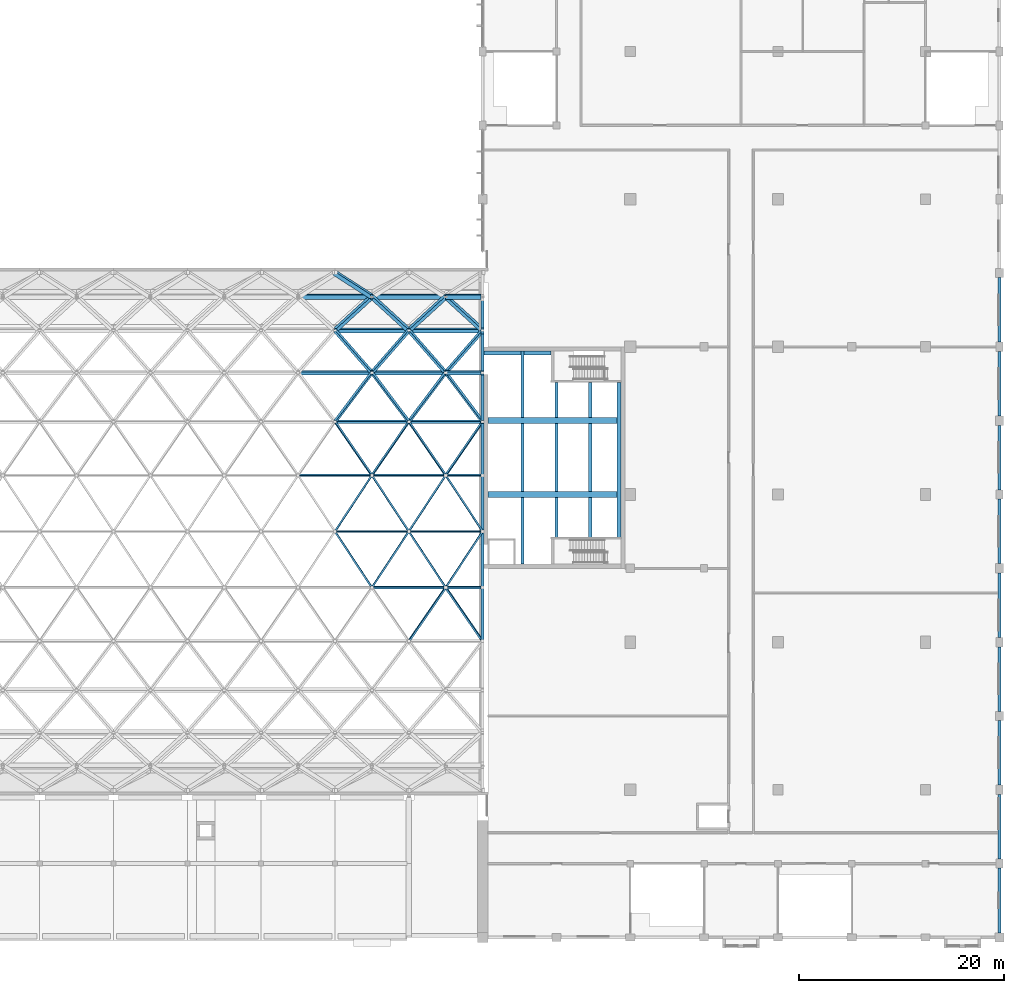
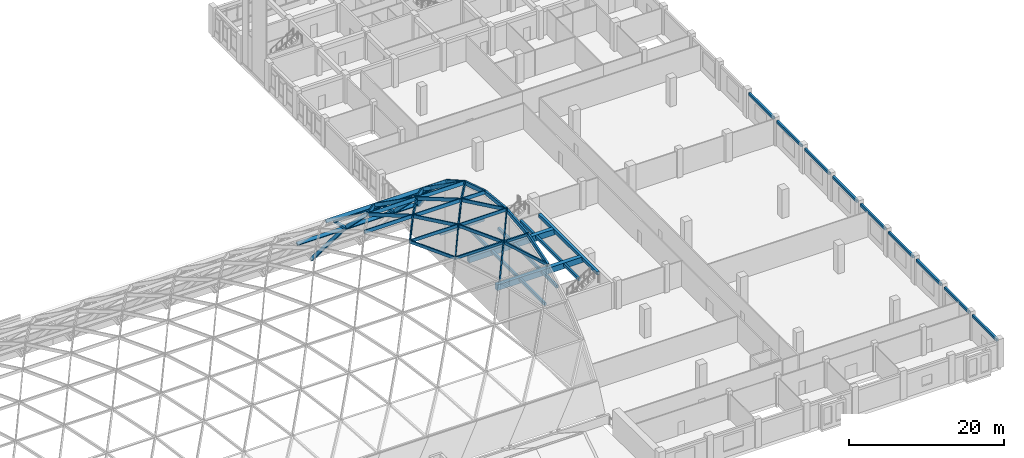
# One storey, part 14 of 52: 46 beams, 27 members.
"""IFC4 building model written with IfcOpenShell, lengths in metres."""

import ifcopenshell
import ifcopenshell.guid

model = None  # the IFC model being written
_history = None  # IfcOwnerHistory: only IFC2X3 demands one
_inside = {}  # id of a spatial element -> (the spatial element, [elements in it])
_under = {}  # id of a project, library or spatial element -> (it, [spatial elements below it])
_declared = {}  # id of a project -> (the project, [libraries it declares])
_typed = {}  # id of a type object -> (the type object, [elements of that type])
_made_of = {}  # id of a material, layer set ... -> (it, [elements and type objects made of it])


def new_model(schema):
    """Start an empty IFC model of exactly this schema.

    Asked for "IFC4X3", IfcOpenShell would pick the latest addendum, in which some entities
    have other attributes; the version numbers below select the first issue.
    IFC2X3 requires an IfcOwnerHistory on every rooted entity: one is made here for all.
    """
    global model, _history
    if schema == "IFC4X3":
        model = ifcopenshell.file(schema_version=(4, 3, 0, 0))
    else:
        model = ifcopenshell.file(schema=schema)
    _inside.clear()
    _under.clear()
    _declared.clear()
    _typed.clear()
    _made_of.clear()
    _history = None
    if model.schema == "IFC2X3":
        org = make("IfcOrganization", Name="unknown")
        user = make(
            "IfcPersonAndOrganization",
            ThePerson=make("IfcPerson", FamilyName="unknown"),
            TheOrganization=org,
        )
        app = make(
            "IfcApplication",
            ApplicationDeveloper=org,
            Version="unknown",
            ApplicationFullName="unknown",
            ApplicationIdentifier="unknown",
        )
        _history = make(
            "IfcOwnerHistory",
            OwningUser=user,
            OwningApplication=app,
            ChangeAction="ADDED",
            CreationDate=0,
        )
    return model


def make(cls, **values):
    """One entity of the class cls with the attributes given. An attribute that is None is left unset."""
    return model.create_entity(
        cls, **{name: value for name, value in values.items() if value is not None}
    )


def rooted(cls, **values):
    """An entity with a GlobalId (a new one), such as an element, a storey or a relation."""
    return make(cls, GlobalId=ifcopenshell.guid.new(), OwnerHistory=_history, **values)


def si_unit(unit_type, name, prefix=None):
    """IfcSIUnit, for example si_unit("LENGTHUNIT", "METRE", prefix="MILLI")."""
    return make("IfcSIUnit", UnitType=unit_type, Prefix=prefix, Name=name)


def assignment(units):
    """IfcUnitAssignment: the units of a project."""
    return None if units is None else make("IfcUnitAssignment", Units=units)


def point(xyz):
    """IfcCartesianPoint."""
    return None if xyz is None else make("IfcCartesianPoint", Coordinates=xyz)


def direction(xyz):
    """IfcDirection."""
    return None if xyz is None else make("IfcDirection", DirectionRatios=xyz)


def frame(location, z_axis=None, x_axis=None):
    """IfcAxis2Placement3D, a coordinate frame: its origin and axes. An axis left out is left unset."""
    return make(
        "IfcAxis2Placement3D",
        Location=point(location),
        Axis=direction(z_axis),
        RefDirection=direction(x_axis),
    )


def frame_2d(location, x_axis=None):
    """IfcAxis2Placement2D, a coordinate frame in the plane: its origin and x axis."""
    return make(
        "IfcAxis2Placement2D", Location=point(location), RefDirection=direction(x_axis)
    )


def origin():
    """The frame at (0, 0, 0) with its axes left unset."""
    return frame((0.0, 0.0, 0.0))


def origin_2d():
    """The frame at (0, 0) in the plane with its x axis left unset."""
    return frame_2d((0.0, 0.0))


def place(relative_to, where):
    """IfcLocalPlacement: puts the frame where relative to a parent placement (None: the world)."""
    return make(
        "IfcLocalPlacement", PlacementRelTo=relative_to, RelativePlacement=where
    )


def context(
    kind, dimensions, precision=None, world=None, true_north=None, identifier=None
):
    """IfcGeometricRepresentationContext, for example the 3D "Model" context."""
    return make(
        "IfcGeometricRepresentationContext",
        ContextIdentifier=identifier,
        ContextType=kind,
        CoordinateSpaceDimension=dimensions,
        Precision=precision,
        WorldCoordinateSystem=world,
        TrueNorth=true_north,
    )


def subcontext(parent, identifier, kind, view, scale=None):
    """IfcGeometricRepresentationSubContext, for example "Body" below "Model"."""
    return make(
        "IfcGeometricRepresentationSubContext",
        ContextIdentifier=identifier,
        ContextType=kind,
        ParentContext=parent,
        TargetScale=scale,
        TargetView=view,
    )


def project(units=None, contexts=None):
    """IfcProject with its units and contexts."""
    return rooted(
        "IfcProject",
        Name="project",
        RepresentationContexts=contexts,
        UnitsInContext=assignment(units),
    )


def spatial(cls, under=None, at=None, **own):
    """A site, building, storey or space (cls), placed at a placement, below another one or the project."""
    s = rooted(cls, ObjectPlacement=at, **own)
    if under is not None:
        _under.setdefault(under.id(), (under, []))[1].append(s)
    return s


def profile(cls, at=None, kind="AREA", **sizes):
    """A parametric profile (cls). Its sizes go by their IFC names, for example OverallWidth=200.0."""
    return make(cls, ProfileType=kind, Position=at, **sizes)


def rectangle(**sizes):
    """IfcRectangleProfileDef."""
    return profile("IfcRectangleProfileDef", **sizes)


def extrude(swept, where, along, depth):
    """IfcExtrudedAreaSolid: the profile swept, set in the frame where, extruded along a direction by depth."""
    return make(
        "IfcExtrudedAreaSolid",
        SweptArea=swept,
        Position=where,
        ExtrudedDirection=direction(along),
        Depth=depth,
    )


def shape(context_of_items, identifier, shape_type, items):
    """IfcShapeRepresentation: the items that make up one representation, for example the "Body"."""
    return make(
        "IfcShapeRepresentation",
        ContextOfItems=context_of_items,
        RepresentationIdentifier=identifier,
        RepresentationType=shape_type,
        Items=items,
    )


def material(Name=None, Category=None):
    """IfcMaterial."""
    return make("IfcMaterial", Name=Name, Category=Category)


def material_profile(
    of_material, cross_section, Name=None, Category=None, Priority=None
):
    """IfcMaterialProfile: a cross section and its material."""
    return make(
        "IfcMaterialProfile",
        Name=Name,
        Material=of_material,
        Profile=cross_section,
        Priority=Priority,
        Category=Category,
    )


def profile_set(profiles, Name=None, composite=None):
    """IfcMaterialProfileSet."""
    return make(
        "IfcMaterialProfileSet",
        Name=Name,
        MaterialProfiles=profiles,
        CompositeProfile=composite,
    )


def made_of(thing, what):
    """Note that an element or type object is made of a material, layer set ...; save() writes the relation."""
    if what is not None:
        _made_of.setdefault(what.id(), (what, []))[1].append(thing)
    return thing


def type_object(cls, material=None, **own):
    """A type object (cls), such as IfcWallType, which elements share."""
    return made_of(rooted(cls, **own), material)


def element(
    cls,
    number,
    at=None,
    inside=None,
    cuts=None,
    type_object=None,
    material=None,
    context=None,
    identifier="Body",
    shape_type=None,
    held_by="IfcProductDefinitionShape",
    body=None,
    shapes=None,
    **own,
):
    """One element of the class cls, such as IfcWall. Its Tag is "e" and its number.

    at: its placement. inside: the storey or other place that contains it. cuts: it is an
    opening in that element (IfcRelVoidsElement). A single representation is given by context,
    identifier, shape_type and body (its items); several are given by shapes. held_by: the class
    of the entity that holds the representations. save() writes the other relations.
    """
    e = rooted(cls, Tag="e%d" % number, ObjectPlacement=at, **own)
    if body is not None:
        shapes = [shape(context, identifier, shape_type, body)]
    if shapes is not None:
        e.Representation = make(held_by, Representations=shapes)
    if inside is not None:
        _inside.setdefault(inside.id(), (inside, []))[1].append(e)
    if cuts is not None:
        rooted(
            "IfcRelVoidsElement", RelatingBuildingElement=cuts, RelatedOpeningElement=e
        )
    if type_object is not None:
        _typed.setdefault(type_object.id(), (type_object, []))[1].append(e)
    return made_of(e, material)


def aggregate(whole, parts):
    """IfcRelAggregates: a whole, such as a stair, and the parts it consists of."""
    return rooted("IfcRelAggregates", RelatingObject=whole, RelatedObjects=parts)


def save(model, path):
    """Write the relations noted so far, then the file.

    IfcRelAggregates (storeys below a building ...), IfcRelContainedInSpatialStructure (elements
    in a storey), IfcRelDefinesByType, IfcRelAssociatesMaterial and IfcRelDeclares: one each for
    every whole, place, type object, material and project.
    """
    for whole, parts in _under.values():
        aggregate(whole, parts)
    for where, things in _inside.values():
        rooted(
            "IfcRelContainedInSpatialStructure",
            RelatedElements=things,
            RelatingStructure=where,
        )
    for kind, things in _typed.values():
        rooted("IfcRelDefinesByType", RelatedObjects=things, RelatingType=kind)
    for what, things in _made_of.values():
        rooted("IfcRelAssociatesMaterial", RelatedObjects=things, RelatingMaterial=what)
    for by, libraries in _declared.values():
        rooted("IfcRelDeclares", RelatingContext=by, RelatedDefinitions=libraries)
    model.write(path)


model = new_model("IFC4")

# Units and contexts
model_context = context("Model", 3, precision=1e-05, world=origin(), true_north=direction((0.0, 1.0)))
body_context = subcontext(model_context, "Body", "Model", "MODEL_VIEW")
ifc_project = project(units=[si_unit("LENGTHUNIT", "METRE"), si_unit("AREAUNIT", "SQUARE_METRE"), si_unit("VOLUMEUNIT", "CUBIC_METRE"), si_unit("PLANEANGLEUNIT", "RADIAN"), si_unit("MASSUNIT", "GRAM", prefix="KILO")], contexts=[model_context])

# Site, building, storey
site_placement = place(None, origin())
site = spatial("IfcSite", under=ifc_project, at=site_placement, CompositionType="ELEMENT")
building_placement = place(site_placement, origin())
building = spatial("IfcBuilding", under=site, at=building_placement, Name="Vermilion Court Aquatics Centre", CompositionType="ELEMENT")
storey_placement = place(building_placement, frame((0.0, 0.0, 12.0)))
storey = spatial("IfcBuildingStorey", under=building, at=storey_placement, Name="L02", CompositionType="ELEMENT", Elevation=12.0)

# Beams
ifc_material_1 = material(Name="Concrete 8000 psi", Category="concrete")
ifc_material_profile_1 = material_profile(ifc_material_1, rectangle(XDim=0.39990234375, YDim=0.5, at=origin_2d()), Name="RC 400x500")
ifc_profile_set_1 = profile_set([ifc_material_profile_1], Name="Concrete 8000 psi")
beam_type_1 = type_object("IfcBeamType", Name="Diving Tower diaphragm chord beam RC 400x500", PredefinedType="BEAM", material=ifc_profile_set_1)
beam_1_placement = place(storey_placement, frame((157.300048828125, 39.02490234375, 3.89990234375), z_axis=(0.0, 1.0, 0.0), x_axis=(-1.0, 0.0, 0.0)))
element("IfcBeam", 1, at=beam_1_placement, inside=storey, type_object=beam_type_1, Name="Diving Tower diaphragm chord beam E L03", PredefinedType="BEAM", context=body_context, shape_type="SweptSolid", body=[
    extrude(rectangle(XDim=0.39990234375, YDim=0.5, at=origin_2d()), origin(), (0.0, 0.0, 1.0), 15.10009765625),
])
beam_2_placement = place(storey_placement, frame((144.110107421875, 57.0, 3.89990234375), z_axis=(1.0, 0.0, 0.0), x_axis=(0.0, 1.0, 0.0)))
element("IfcBeam", 2, at=beam_2_placement, inside=storey, type_object=beam_type_1, Name="Diving Tower diaphragm chord beam N L03", PredefinedType="BEAM", context=body_context, shape_type="SweptSolid", body=[
    extrude(rectangle(XDim=0.39990234375, YDim=0.5, at=origin_2d()), origin(), (0.0, 0.0, 1.0), 6.539794921875),
])
ifc_material_2 = material(Name="Concrete 8000 psi", Category="concrete")
ifc_material_profile_2 = material_profile(ifc_material_2, rectangle(XDim=0.300048828125, YDim=0.449951171875, at=origin_2d()), Name="RC 300x450")
ifc_profile_set_2 = profile_set([ifc_material_profile_2], Name="Concrete 8000 psi")
beam_type_2 = type_object("IfcBeamType", Name="Diving Tower floor joist RC 300x450", PredefinedType="JOIST", material=ifc_profile_set_2)
beam_3_placement = place(storey_placement, frame((147.89990234375, 36.39990234375, 3.925048828125), z_axis=(0.0, 1.0, 0.0), x_axis=(-1.0, 0.0, 0.0)))
element("IfcBeam", 3, at=beam_3_placement, inside=storey, type_object=beam_type_2, Name="Diving Tower floor joist x147.9 1 L03", PredefinedType="JOIST", context=body_context, shape_type="SweptSolid", body=[
    extrude(rectangle(XDim=0.300048828125, YDim=0.449951171875, at=origin_2d()), origin(), (0.0, 0.0, 1.0), 6.5),
])
beam_4_placement = place(storey_placement, frame((147.89990234375, 43.5, 3.925048828125), z_axis=(0.0, 1.0, 0.0), x_axis=(-1.0, 0.0, 0.0)))
element("IfcBeam", 4, at=beam_4_placement, inside=storey, type_object=beam_type_2, Name="Diving Tower floor joist x147.9 2 L03", PredefinedType="JOIST", context=body_context, shape_type="SweptSolid", body=[
    extrude(rectangle(XDim=0.300048828125, YDim=0.449951171875, at=origin_2d()), origin(), (0.0, 0.0, 1.0), 6.60009765625),
])
beam_5_placement = place(storey_placement, frame((147.89990234375, 50.699951171875, 3.925048828125), z_axis=(0.0, 1.0, 0.0), x_axis=(-1.0, 0.0, 0.0)))
element("IfcBeam", 5, at=beam_5_placement, inside=storey, type_object=beam_type_2, Name="Diving Tower floor joist x147.9 3 L03", PredefinedType="JOIST", context=body_context, shape_type="SweptSolid", body=[
    extrude(rectangle(XDim=0.300048828125, YDim=0.449951171875, at=origin_2d()), origin(), (0.0, 0.0, 1.0), 6.5),
])
beam_6_placement = place(storey_placement, frame((151.199951171875, 39.02490234375, 3.925048828125), z_axis=(0.0, 1.0, 0.0), x_axis=(-1.0, 0.0, 0.0)))
element("IfcBeam", 6, at=beam_6_placement, inside=storey, type_object=beam_type_2, Name="Diving Tower floor joist x151.2 1 L03", PredefinedType="JOIST", context=body_context, shape_type="SweptSolid", body=[
    extrude(rectangle(XDim=0.300048828125, YDim=0.449951171875, at=origin_2d()), origin(), (0.0, 0.0, 1.0), 3.875),
])
beam_7_placement = place(storey_placement, frame((151.199951171875, 43.5, 3.925048828125), z_axis=(0.0, 1.0, 0.0), x_axis=(-1.0, 0.0, 0.0)))
element("IfcBeam", 7, at=beam_7_placement, inside=storey, type_object=beam_type_2, Name="Diving Tower floor joist x151.2 2 L03", PredefinedType="JOIST", context=body_context, shape_type="SweptSolid", body=[
    extrude(rectangle(XDim=0.300048828125, YDim=0.449951171875, at=origin_2d()), origin(), (0.0, 0.0, 1.0), 6.60009765625),
])
beam_8_placement = place(storey_placement, frame((151.199951171875, 50.699951171875, 3.925048828125), z_axis=(0.0, 1.0, 0.0), x_axis=(-1.0, 0.0, 0.0)))
element("IfcBeam", 8, at=beam_8_placement, inside=storey, type_object=beam_type_2, Name="Diving Tower floor joist x151.2 3 L03", PredefinedType="JOIST", context=body_context, shape_type="SweptSolid", body=[
    extrude(rectangle(XDim=0.300048828125, YDim=0.449951171875, at=origin_2d()), origin(), (0.0, 0.0, 1.0), 3.425048828125),
])
beam_9_placement = place(storey_placement, frame((154.5, 39.02490234375, 3.925048828125), z_axis=(0.0, 1.0, 0.0), x_axis=(-1.0, 0.0, 0.0)))
element("IfcBeam", 9, at=beam_9_placement, inside=storey, type_object=beam_type_2, Name="Diving Tower floor joist x154.5 1 L03", PredefinedType="JOIST", context=body_context, shape_type="SweptSolid", body=[
    extrude(rectangle(XDim=0.300048828125, YDim=0.449951171875, at=origin_2d()), origin(), (0.0, 0.0, 1.0), 3.875),
])
beam_10_placement = place(storey_placement, frame((154.5, 43.5, 3.925048828125), z_axis=(0.0, 1.0, 0.0), x_axis=(-1.0, 0.0, 0.0)))
element("IfcBeam", 10, at=beam_10_placement, inside=storey, type_object=beam_type_2, Name="Diving Tower floor joist x154.5 2 L03", PredefinedType="JOIST", context=body_context, shape_type="SweptSolid", body=[
    extrude(rectangle(XDim=0.300048828125, YDim=0.449951171875, at=origin_2d()), origin(), (0.0, 0.0, 1.0), 6.60009765625),
])
beam_11_placement = place(storey_placement, frame((154.5, 50.699951171875, 3.925048828125), z_axis=(0.0, 1.0, 0.0), x_axis=(-1.0, 0.0, 0.0)))
element("IfcBeam", 11, at=beam_11_placement, inside=storey, type_object=beam_type_2, Name="Diving Tower floor joist x154.5 3 L03", PredefinedType="JOIST", context=body_context, shape_type="SweptSolid", body=[
    extrude(rectangle(XDim=0.300048828125, YDim=0.449951171875, at=origin_2d()), origin(), (0.0, 0.0, 1.0), 3.425048828125),
])
ifc_material_3 = material(Name="Concrete 8000 psi", Category="concrete")
ifc_material_profile_3 = material_profile(ifc_material_3, rectangle(XDim=0.60009765625, YDim=0.89990234375, at=origin_2d()), Name="RC 600x900")
ifc_profile_set_3 = profile_set([ifc_material_profile_3], Name="Concrete 8000 psi")
beam_type_3 = type_object("IfcBeamType", Name="Diving Tower girder 600x900", PredefinedType="BEAM", material=ifc_profile_set_3)
for number, where, z_axis, x_axis, name in (
    (12, (144.5, 43.199951171875, 3.699951171875), (1.0, 0.0, 0.0), (0.0, 1.0, 0.0), "Diving Tower girder y43.2 L03"),
    (13, (144.5, 50.39990234375, 3.699951171875), (1.0, 0.0, 0.0), (0.0, 1.0, 0.0), "Diving Tower girder y50.4 L03"),
):
    element("IfcBeam", number, at=place(storey_placement, frame(where, z_axis=z_axis, x_axis=x_axis)), inside=storey, type_object=beam_type_3, Name=name, PredefinedType="BEAM", context=body_context, shape_type="SweptSolid", body=[
        extrude(rectangle(XDim=0.60009765625, YDim=0.89990234375, at=origin_2d()), origin(), (0.0, 0.0, 1.0), 13.0),
    ])
ifc_material_4 = material(Name="Concrete 5000 psi", Category="concrete")
ifc_material_profile_4 = material_profile(ifc_material_4, rectangle(XDim=0.300048828125, YDim=0.39990234375, at=origin_2d()), Name="RC 300x400")
ifc_profile_set_4 = profile_set([ifc_material_profile_4], Name="Concrete 5000 psi")
beam_type_4 = type_object("IfcBeamType", Name="Podium spandrel beam RC 300x400", PredefinedType="BEAM", material=ifc_profile_set_4)
for number, where, z_axis, x_axis, name in (
    (14, (194.39990234375, 0.449951171875, 3.800048828125), (0.0, 1.0, 0.0), (-1.0, 0.0, 0.0), "Spandrel beam L02"),
    (15, (194.39990234375, 7.64990234375, 3.800048828125), (0.0, 1.0, 0.0), (-1.0, 0.0, 0.0), "Spandrel beam L02"),
):
    element("IfcBeam", number, at=place(storey_placement, frame(where, z_axis=z_axis, x_axis=x_axis)), inside=storey, type_object=beam_type_4, Name=name, PredefinedType="BEAM", context=body_context, shape_type="SweptSolid", body=[
        extrude(rectangle(XDim=0.300048828125, YDim=0.39990234375, at=origin_2d()), origin(), (0.0, 0.0, 1.0), 6.300048828125),
    ])
beam_12_placement = place(storey_placement, frame((194.39990234375, 14.85009765625, 3.800048828125), z_axis=(0.0, 1.0, 0.0), x_axis=(-1.0, 0.0, 0.0)))
element("IfcBeam", 16, at=beam_12_placement, inside=storey, type_object=beam_type_4, Name="Spandrel beam L02", PredefinedType="BEAM", context=body_context, shape_type="SweptSolid", body=[
    extrude(rectangle(XDim=0.300048828125, YDim=0.39990234375, at=origin_2d()), origin(), (0.0, 0.0, 1.0), 6.2998046875),
])
for number, where, z_axis, x_axis, name in (
    (17, (194.39990234375, 22.050048828125, 3.800048828125), (0.0, 1.0, 0.0), (-1.0, 0.0, 0.0), "Spandrel beam L02"),
    (18, (194.39990234375, 29.25, 3.800048828125), (0.0, 1.0, 0.0), (-1.0, 0.0, 0.0), "Spandrel beam L02"),
    (19, (194.39990234375, 36.449951171875, 3.800048828125), (0.0, 1.0, 0.0), (-1.0, 0.0, 0.0), "Spandrel beam L02"),
    (20, (194.39990234375, 43.64990234375, 3.800048828125), (0.0, 1.0, 0.0), (-1.0, 0.0, 0.0), "Spandrel beam L02"),
):
    element("IfcBeam", number, at=place(storey_placement, frame(where, z_axis=z_axis, x_axis=x_axis)), inside=storey, type_object=beam_type_4, Name=name, PredefinedType="BEAM", context=body_context, shape_type="SweptSolid", body=[
        extrude(rectangle(XDim=0.300048828125, YDim=0.39990234375, at=origin_2d()), origin(), (0.0, 0.0, 1.0), 6.300048828125),
    ])
beam_13_placement = place(storey_placement, frame((194.39990234375, 50.85009765625, 3.800048828125), z_axis=(0.0, 1.0, 0.0), x_axis=(-1.0, 0.0, 0.0)))
element("IfcBeam", 21, at=beam_13_placement, inside=storey, type_object=beam_type_4, Name="Spandrel beam L02", PredefinedType="BEAM", context=body_context, shape_type="SweptSolid", body=[
    extrude(rectangle(XDim=0.300048828125, YDim=0.39990234375, at=origin_2d()), origin(), (0.0, 0.0, 1.0), 6.2998046875),
])
beam_14_placement = place(storey_placement, frame((194.39990234375, 58.050048828125, 3.800048828125), z_axis=(0.0, 1.0, 0.0), x_axis=(-1.0, 0.0, 0.0)))
element("IfcBeam", 22, at=beam_14_placement, inside=storey, type_object=beam_type_4, Name="Spandrel beam L02", PredefinedType="BEAM", context=body_context, shape_type="SweptSolid", body=[
    extrude(rectangle(XDim=0.300048828125, YDim=0.39990234375, at=origin_2d()), origin(), (0.0, 0.0, 1.0), 6.300048828125),
])
ifc_material_5 = material(Name="Glulam 24F-V4 Douglas fir", Category="wood")
ifc_material_profile_5 = material_profile(ifc_material_5, rectangle(XDim=0.27294921875, YDim=0.60009765625, at=origin_2d()), Name="GL24F 273x600")
ifc_profile_set_5 = profile_set([ifc_material_profile_5], Name="Glulam 24F-V4 Douglas fir")
beam_type_5 = type_object("IfcBeamType", Name="Roof gable arch rib GL24F 273x600", PredefinedType="BEAM", material=ifc_profile_set_5)
beam_15_placement = place(storey_placement, frame((144.0, 28.934326171875, 15.965576171875), z_axis=(0.0, 0.95236068904, 0.304973962775), x_axis=(-1.0, 0.0, 0.0)))
element("IfcBeam", 23, at=beam_15_placement, inside=storey, type_object=beam_type_5, Name="Gable arch rib GR-R04-E", PredefinedType="BEAM", context=body_context, shape_type="SweptSolid", body=[
    extrude(rectangle(XDim=0.27294921875, YDim=0.60009765625, at=origin_2d()), origin(), (0.0, 0.0, 1.0), 5.45166015625),
])
for number, where, z_axis, x_axis, name in (
    (24, (144.0, 34.155029296875, 17.63427734375), (0.0, 0.994650044267, 0.103301933381), (-1.0, 0.0, 0.0), "Gable arch rib GR-R05-E"),
    (25, (144.0, 39.61474609375, 18.1982421875), (0.0, 0.994650044267, -0.103301933381), (-1.0, 0.0, 0.0), "Gable arch rib GR-R06-E"),
):
    element("IfcBeam", number, at=place(storey_placement, frame(where, z_axis=z_axis, x_axis=x_axis)), inside=storey, type_object=beam_type_5, Name=name, PredefinedType="BEAM", context=body_context, shape_type="SweptSolid", body=[
        extrude(rectangle(XDim=0.27294921875, YDim=0.60009765625, at=origin_2d()), origin(), (0.0, 0.0, 1.0), 5.45947265625),
    ])
beam_16_placement = place(storey_placement, frame((144.0, 45.07373046875, 17.628173828125), z_axis=(0.0, 0.95236068904, -0.304973962775), x_axis=(-1.0, 0.0, 0.0)))
element("IfcBeam", 26, at=beam_16_placement, inside=storey, type_object=beam_type_5, Name="Gable arch rib GR-R07-E", PredefinedType="BEAM", context=body_context, shape_type="SweptSolid", body=[
    extrude(rectangle(XDim=0.27294921875, YDim=0.60009765625, at=origin_2d()), origin(), (0.0, 0.0, 1.0), 5.45166015625),
])
beam_17_placement = place(storey_placement, frame((144.0, 50.292724609375, 15.95361328125), z_axis=(0.0, 0.869440836463, -0.494037075422), x_axis=(-1.0, 0.0, 0.0)))
element("IfcBeam", 27, at=beam_17_placement, inside=storey, type_object=beam_type_5, Name="Gable arch rib GR-R08-E", PredefinedType="BEAM", context=body_context, shape_type="SweptSolid", body=[
    extrude(rectangle(XDim=0.27294921875, YDim=0.60009765625, at=origin_2d()), origin(), (0.0, 0.0, 1.0), 5.457763671875),
])
beam_18_placement = place(storey_placement, frame((144.0, 55.06201171875, 13.240234375), z_axis=(0.0, 0.749486531049, -0.662019591686), x_axis=(-1.0, 0.0, 0.0)))
element("IfcBeam", 28, at=beam_18_placement, inside=storey, type_object=beam_type_5, Name="Gable arch rib GR-R09-E", PredefinedType="BEAM", context=body_context, shape_type="SweptSolid", body=[
    extrude(rectangle(XDim=0.27294921875, YDim=0.60009765625, at=origin_2d()), origin(), (0.0, 0.0, 1.0), 5.456787109375),
])
ifc_material_6 = material(Name="Glulam 24F-V4 Douglas fir", Category="wood")
ifc_material_profile_6 = material_profile(ifc_material_6, rectangle(XDim=0.27294921875, YDim=0.699951171875, at=origin_2d()), Name="GL24F 273x700")
ifc_profile_set_6 = profile_set([ifc_material_profile_6], Name="Glulam 24F-V4 Douglas fir")
beam_type_6 = type_object("IfcBeamType", Name="Roof gable arch rib GL24F 273x700", PredefinedType="BEAM", material=ifc_profile_set_6)
beam_19_placement = place(storey_placement, frame((144.0, 59.1376953125, 9.568115234375), z_axis=(0.0, 0.597715934236, -0.801707965509), x_axis=(-1.0, 0.0, 0.0)))
element("IfcBeam", 29, at=beam_19_placement, inside=storey, type_object=beam_type_6, Name="Gable arch rib GR-R10-E", PredefinedType="BEAM", context=body_context, shape_type="SweptSolid", body=[
    extrude(rectangle(XDim=0.27294921875, YDim=0.699951171875, at=origin_2d()), origin(), (0.0, 0.0, 1.0), 5.4443359375),
])
ifc_material_7 = material(Name="Glulam 24F-V4 Douglas fir", Category="wood")
ifc_material_profile_7 = material_profile(ifc_material_7, rectangle(XDim=0.1298828125, YDim=0.5, at=origin_2d()), Name="GL24F 130x500")
ifc_profile_set_7 = profile_set([ifc_material_profile_7], Name="Glulam 24F-V4 Douglas fir")
beam_type_7 = type_object("IfcBeamType", Name="Roof glulam beam GL24F 130x500", PredefinedType="BEAM", material=ifc_profile_set_7)
beam_20_placement = place(storey_placement, frame((129.60009765625, 39.60009765625, 18.25), z_axis=(1.0, 0.0, 0.0), x_axis=(0.0, 1.0, 0.0)))
element("IfcBeam", 30, at=beam_20_placement, inside=storey, type_object=beam_type_7, Name="Gridshell member GM-S06-16", PredefinedType="BEAM", context=body_context, shape_type="SweptSolid", body=[
    extrude(rectangle(XDim=0.1298828125, YDim=0.5, at=origin_2d()), origin(), (0.0, 0.0, 1.0), 7.199951171875),
])
beam_21_placement = place(storey_placement, frame((136.800048828125, 39.60009765625, 18.25), z_axis=(1.0, 0.0, 0.0), x_axis=(0.0, 1.0, 0.0)))
element("IfcBeam", 31, at=beam_21_placement, inside=storey, type_object=beam_type_7, Name="Gridshell member GM-S06-17", PredefinedType="BEAM", context=body_context, shape_type="SweptSolid", body=[
    extrude(rectangle(XDim=0.1298828125, YDim=0.5, at=origin_2d()), origin(), (0.0, 0.0, 1.0), 7.0634765625),
])
ifc_material_8 = material(Name="Glulam 24F-V4 Douglas fir", Category="wood")
ifc_material_profile_8 = material_profile(ifc_material_8, rectangle(XDim=0.1708984375, YDim=0.5, at=origin_2d()), Name="GL24F 171x500")
ifc_profile_set_8 = profile_set([ifc_material_profile_8], Name="Glulam 24F-V4 Douglas fir")
beam_type_8 = type_object("IfcBeamType", Name="Roof glulam beam GL24F 171x500", PredefinedType="BEAM", material=ifc_profile_set_8)
beam_22_placement = place(storey_placement, frame((133.199951171875, 34.1298828125, 17.681884765625), z_axis=(1.0, 0.0, 0.0), x_axis=(0.0, 0.978692135467, 0.205333153619)))
element("IfcBeam", 32, at=beam_22_placement, inside=storey, type_object=beam_type_8, Name="Gridshell member GM-S05-17", PredefinedType="BEAM", context=body_context, shape_type="SweptSolid", body=[
    extrude(rectangle(XDim=0.1708984375, YDim=0.5, at=origin_2d()), origin(), (0.0, 0.0, 1.0), 7.199951171875),
])
beam_23_placement = place(storey_placement, frame((140.39990234375, 34.1298828125, 17.681884765625), z_axis=(1.0, 0.0, 0.0), x_axis=(0.0, 0.978692135467, 0.205333153619)))
element("IfcBeam", 33, at=beam_23_placement, inside=storey, type_object=beam_type_8, Name="Gridshell member GM-S05-18", PredefinedType="BEAM", context=body_context, shape_type="SweptSolid", body=[
    extrude(rectangle(XDim=0.1708984375, YDim=0.5, at=origin_2d()), origin(), (0.0, 0.0, 1.0), 3.463623046875),
])
for number, where, z_axis, x_axis, name in (
    (34, (126.0, 45.070068359375, 17.681884765625), (1.0, 0.0, 0.0), (0.0, 0.978692135467, -0.205333153619), "Gridshell member GM-S07-16"),
    (35, (133.199951171875, 45.070068359375, 17.681884765625), (1.0, 0.0, 0.0), (0.0, 0.978692135467, -0.205333153619), "Gridshell member GM-S07-17"),
):
    element("IfcBeam", number, at=place(storey_placement, frame(where, z_axis=z_axis, x_axis=x_axis)), inside=storey, type_object=beam_type_8, Name=name, PredefinedType="BEAM", context=body_context, shape_type="SweptSolid", body=[
        extrude(rectangle(XDim=0.1708984375, YDim=0.5, at=origin_2d()), origin(), (0.0, 0.0, 1.0), 7.199951171875),
    ])
beam_24_placement = place(storey_placement, frame((140.39990234375, 45.070068359375, 17.681884765625), z_axis=(1.0, 0.0, 0.0), x_axis=(0.0, 0.978692135467, -0.205333153619)))
element("IfcBeam", 36, at=beam_24_placement, inside=storey, type_object=beam_type_8, Name="Gridshell member GM-S07-18", PredefinedType="BEAM", context=body_context, shape_type="SweptSolid", body=[
    extrude(rectangle(XDim=0.1708984375, YDim=0.5, at=origin_2d()), origin(), (0.0, 0.0, 1.0), 3.463623046875),
])
beam_25_placement = place(storey_placement, frame((129.60009765625, 50.300048828125, 16.007080078125), z_axis=(1.0, 0.0, 0.0), x_axis=(0.0, 0.915794264632, -0.401647687492)))
element("IfcBeam", 37, at=beam_25_placement, inside=storey, type_object=beam_type_8, Name="Gridshell member GM-S08-16", PredefinedType="BEAM", context=body_context, shape_type="SweptSolid", body=[
    extrude(rectangle(XDim=0.1708984375, YDim=0.5, at=origin_2d()), origin(), (0.0, 0.0, 1.0), 7.199951171875),
])
beam_26_placement = place(storey_placement, frame((136.800048828125, 50.300048828125, 16.007080078125), z_axis=(1.0, 0.0, 0.0), x_axis=(0.0, 0.915794264632, -0.401647687492)))
element("IfcBeam", 38, at=beam_26_placement, inside=storey, type_object=beam_type_8, Name="Gridshell member GM-S08-17", PredefinedType="BEAM", context=body_context, shape_type="SweptSolid", body=[
    extrude(rectangle(XDim=0.1708984375, YDim=0.5, at=origin_2d()), origin(), (0.0, 0.0, 1.0), 7.0634765625),
])
ifc_material_9 = material(Name="Glulam 24F-V4 Douglas fir", Category="wood")
ifc_material_profile_9 = material_profile(ifc_material_9, rectangle(XDim=0.221923828125, YDim=0.5, at=origin_2d()), Name="GL24F 222x500")
ifc_profile_set_9 = profile_set([ifc_material_profile_9], Name="Glulam 24F-V4 Douglas fir")
beam_type_9 = type_object("IfcBeamType", Name="Roof glulam beam GL24F 222x500", PredefinedType="BEAM", material=ifc_profile_set_9)
for number, where, z_axis, x_axis, name in (
    (39, (126.0, 55.080078125, 13.291015625), (1.0, 0.0, 0.0), (0.0, 0.813847589394, -0.581078395087), "Gridshell member GM-S09-16"),
    (40, (133.199951171875, 55.080078125, 13.291015625), (1.0, 0.0, 0.0), (0.0, 0.813847589394, -0.581078395087), "Gridshell member GM-S09-17"),
):
    element("IfcBeam", number, at=place(storey_placement, frame(where, z_axis=z_axis, x_axis=x_axis)), inside=storey, type_object=beam_type_9, Name=name, PredefinedType="BEAM", context=body_context, shape_type="SweptSolid", body=[
        extrude(rectangle(XDim=0.221923828125, YDim=0.5, at=origin_2d()), origin(), (0.0, 0.0, 1.0), 7.199951171875),
    ])
beam_27_placement = place(storey_placement, frame((140.39990234375, 55.080078125, 13.291015625), z_axis=(1.0, 0.0, 0.0), x_axis=(0.0, 0.813847589394, -0.581078395087)))
element("IfcBeam", 41, at=beam_27_placement, inside=storey, type_object=beam_type_9, Name="Gridshell member GM-S09-18", PredefinedType="BEAM", context=body_context, shape_type="SweptSolid", body=[
    extrude(rectangle(XDim=0.221923828125, YDim=0.5, at=origin_2d()), origin(), (0.0, 0.0, 1.0), 3.463623046875),
])
beam_28_placement = place(storey_placement, frame((129.60009765625, 59.199951171875, 9.652099609375), z_axis=(1.0, 0.0, 0.0), x_axis=(0.0, 0.677259808472, -0.735743944473)))
element("IfcBeam", 42, at=beam_28_placement, inside=storey, type_object=beam_type_9, Name="Gridshell member GM-S10-16", PredefinedType="BEAM", context=body_context, shape_type="SweptSolid", body=[
    extrude(rectangle(XDim=0.221923828125, YDim=0.5, at=origin_2d()), origin(), (0.0, 0.0, 1.0), 7.199951171875),
])
beam_29_placement = place(storey_placement, frame((136.800048828125, 59.199951171875, 9.652099609375), z_axis=(1.0, 0.0, 0.0), x_axis=(0.0, 0.677259808472, -0.735743944473)))
element("IfcBeam", 43, at=beam_29_placement, inside=storey, type_object=beam_type_9, Name="Gridshell member GM-S10-17", PredefinedType="BEAM", context=body_context, shape_type="SweptSolid", body=[
    extrude(rectangle(XDim=0.221923828125, YDim=0.5, at=origin_2d()), origin(), (0.0, 0.0, 1.0), 7.0634765625),
])
ifc_material_10 = material(Name="Glulam 24F-V4 Douglas fir", Category="wood")
ifc_material_profile_10 = material_profile(ifc_material_10, rectangle(XDim=0.27294921875, YDim=0.5, at=origin_2d()), Name="GL24F 273x500")
ifc_profile_set_10 = profile_set([ifc_material_profile_10], Name="Glulam 24F-V4 Douglas fir")
beam_type_10 = type_object("IfcBeamType", Name="Roof glulam beam GL24F 273x500", PredefinedType="BEAM", material=ifc_profile_set_10)
for number, where, z_axis, x_axis, name in (
    (44, (126.0, 62.489990234375, 5.239013671875), (1.0, 0.0, 0.0), (0.0, 0.511594723072, -0.859226884661), "Gridshell member GM-S11-16"),
    (45, (133.199951171875, 62.489990234375, 5.239013671875), (1.0, 0.0, 0.0), (0.0, 0.511594723072, -0.859226884661), "Gridshell member GM-S11-17"),
):
    element("IfcBeam", number, at=place(storey_placement, frame(where, z_axis=z_axis, x_axis=x_axis)), inside=storey, type_object=beam_type_10, Name=name, PredefinedType="BEAM", context=body_context, shape_type="SweptSolid", body=[
        extrude(rectangle(XDim=0.27294921875, YDim=0.5, at=origin_2d()), origin(), (0.0, 0.0, 1.0), 7.199951171875),
    ])
beam_30_placement = place(storey_placement, frame((140.39990234375, 62.489990234375, 5.239013671875), z_axis=(1.0, 0.0, 0.0), x_axis=(0.0, 0.511594723072, -0.859226884661)))
element("IfcBeam", 46, at=beam_30_placement, inside=storey, type_object=beam_type_10, Name="Gridshell member GM-S11-18", PredefinedType="BEAM", context=body_context, shape_type="SweptSolid", body=[
    extrude(rectangle(XDim=0.27294921875, YDim=0.5, at=origin_2d()), origin(), (0.0, 0.0, 1.0), 3.463623046875),
])

# Members
ifc_material_11 = material(Name="Glulam 24F-V4 Douglas fir", Category="wood")
ifc_material_profile_11 = material_profile(ifc_material_11, rectangle(XDim=0.1708984375, YDim=0.5, at=origin_2d()), Name="GL24F 171x500")
ifc_profile_set_11 = profile_set([ifc_material_profile_11], Name="Glulam 24F-V4 Douglas fir")
member_type_1 = type_object("IfcMemberType", Name="Roof glulam diagonal GL24F 171x500", PredefinedType="BRACE", material=ifc_profile_set_11)
for number, where, z_axis, x_axis, name in (
    (47, (136.800048828125, 28.89990234375, 16.007080078125), (0.548229645356, 0.796485280625, 0.255059706147), (-0.836327836937, 0.522085963539, 0.167278198938), "Gridshell member GM-D04-34"),
    (48, (144.0, 28.89990234375, 16.007080078125), (-0.548255650399, 0.796469045357, 0.255054507103), (-0.836310790084, -0.522113193833, -0.167278436192), "Gridshell member GM-D04-35"),
):
    element("IfcMember", number, at=place(storey_placement, frame(where, z_axis=z_axis, x_axis=x_axis)), inside=storey, type_object=member_type_1, Name=name, PredefinedType="BRACE", context=body_context, shape_type="SweptSolid", body=[
        extrude(rectangle(XDim=0.1708984375, YDim=0.5, at=origin_2d()), origin(), (0.0, 0.0, 1.0), 6.56640625),
    ])
member_1_placement = place(storey_placement, frame((133.199951171875, 34.1298828125, 17.681884765625), z_axis=(-0.547668890277, 0.832219000038, 0.086431027987), x_axis=(-0.83669515676, -0.544743378643, -0.056531991638)))
element("IfcMember", 49, at=member_1_placement, inside=storey, type_object=member_type_1, Name="Gridshell member GM-D05-32", PredefinedType="BRACE", context=body_context, shape_type="SweptSolid", body=[
    extrude(rectangle(XDim=0.1708984375, YDim=0.5, at=origin_2d()), origin(), (0.0, 0.0, 1.0), 6.572998046875),
])
member_2_placement = place(storey_placement, frame((133.199951171875, 34.1298828125, 17.681884765625), z_axis=(0.547694891547, 0.83220207107, 0.086429269811), x_axis=(-0.83667813664, 0.544769518799, 0.056532000293)))
element("IfcMember", 50, at=member_2_placement, inside=storey, type_object=member_type_1, Name="Gridshell member GM-D05-33", PredefinedType="BRACE", context=body_context, shape_type="SweptSolid", body=[
    extrude(rectangle(XDim=0.1708984375, YDim=0.5, at=origin_2d()), origin(), (0.0, 0.0, 1.0), 6.5732421875),
])
member_3_placement = place(storey_placement, frame((140.39990234375, 34.1298828125, 17.681884765625), z_axis=(-0.547668890277, 0.832219000038, 0.086431027987), x_axis=(-0.83669515676, -0.544743378643, -0.056531991638)))
element("IfcMember", 51, at=member_3_placement, inside=storey, type_object=member_type_1, Name="Gridshell member GM-D05-34", PredefinedType="BRACE", context=body_context, shape_type="SweptSolid", body=[
    extrude(rectangle(XDim=0.1708984375, YDim=0.5, at=origin_2d()), origin(), (0.0, 0.0, 1.0), 6.572998046875),
])
member_4_placement = place(storey_placement, frame((140.39990234375, 34.1298828125, 17.681884765625), z_axis=(0.547694891547, 0.83220207107, 0.086429269811), x_axis=(-0.83667813664, 0.544769518799, 0.056532000293)))
element("IfcMember", 52, at=member_4_placement, inside=storey, type_object=member_type_1, Name="Gridshell member GM-D05-35", PredefinedType="BRACE", context=body_context, shape_type="SweptSolid", body=[
    extrude(rectangle(XDim=0.1708984375, YDim=0.5, at=origin_2d()), origin(), (0.0, 0.0, 1.0), 6.5732421875),
])
member_5_placement = place(storey_placement, frame((129.60009765625, 39.60009765625, 18.25), z_axis=(0.547685819594, 0.832207581418, -0.086433699708), x_axis=(-0.836684075066, 0.544760400487, -0.056531978485)))
element("IfcMember", 53, at=member_5_placement, inside=storey, type_object=member_type_1, Name="Gridshell member GM-D06-32", PredefinedType="BRACE", context=body_context, shape_type="SweptSolid", body=[
    extrude(rectangle(XDim=0.1708984375, YDim=0.5, at=origin_2d()), origin(), (0.0, 0.0, 1.0), 6.57275390625),
])
member_6_placement = place(storey_placement, frame((136.800048828125, 39.60009765625, 18.25), z_axis=(-0.547711820979, 0.832190651637, -0.086431941368), x_axis=(-0.836667054109, -0.544786540764, 0.056531987142)))
element("IfcMember", 54, at=member_6_placement, inside=storey, type_object=member_type_1, Name="Gridshell member GM-D06-33", PredefinedType="BRACE", context=body_context, shape_type="SweptSolid", body=[
    extrude(rectangle(XDim=0.1708984375, YDim=0.5, at=origin_2d()), origin(), (0.0, 0.0, 1.0), 6.572998046875),
])
member_7_placement = place(storey_placement, frame((136.800048828125, 39.60009765625, 18.25), z_axis=(0.547685819594, 0.832207581418, -0.086433699708), x_axis=(-0.836684075066, 0.544760400487, -0.056531978485)))
element("IfcMember", 55, at=member_7_placement, inside=storey, type_object=member_type_1, Name="Gridshell member GM-D06-34", PredefinedType="BRACE", context=body_context, shape_type="SweptSolid", body=[
    extrude(rectangle(XDim=0.1708984375, YDim=0.5, at=origin_2d()), origin(), (0.0, 0.0, 1.0), 6.57275390625),
])
member_8_placement = place(storey_placement, frame((144.0, 39.60009765625, 18.25), z_axis=(-0.547711820979, 0.832190651637, -0.086431941368), x_axis=(-0.836667054109, -0.544786540764, 0.056531987142)))
element("IfcMember", 56, at=member_8_placement, inside=storey, type_object=member_type_1, Name="Gridshell member GM-D06-35", PredefinedType="BRACE", context=body_context, shape_type="SweptSolid", body=[
    extrude(rectangle(XDim=0.1708984375, YDim=0.5, at=origin_2d()), origin(), (0.0, 0.0, 1.0), 6.572998046875),
])
for number, where, z_axis, x_axis, name in (
    (57, (133.199951171875, 45.070068359375, 17.681884765625), (-0.548229645356, 0.796485280625, -0.255059706147), (-0.836327836937, -0.522085963539, 0.167278198938), "Gridshell member GM-D07-32"),
    (58, (133.199951171875, 45.070068359375, 17.681884765625), (0.548255650399, 0.796469045357, -0.255054507103), (-0.836310790084, 0.522113193833, -0.167278436192), "Gridshell member GM-D07-33"),
    (59, (140.39990234375, 45.070068359375, 17.681884765625), (-0.548229645356, 0.796485280625, -0.255059706147), (-0.836327836937, -0.522085963539, 0.167278198938), "Gridshell member GM-D07-34"),
    (60, (140.39990234375, 45.070068359375, 17.681884765625), (0.548255650399, 0.796469045357, -0.255054507103), (-0.836310790084, 0.522113193833, -0.167278436192), "Gridshell member GM-D07-35"),
):
    element("IfcMember", number, at=place(storey_placement, frame(where, z_axis=z_axis, x_axis=x_axis)), inside=storey, type_object=member_type_1, Name=name, PredefinedType="BRACE", context=body_context, shape_type="SweptSolid", body=[
        extrude(rectangle(XDim=0.1708984375, YDim=0.5, at=origin_2d()), origin(), (0.0, 0.0, 1.0), 6.56640625),
    ])
ifc_material_12 = material(Name="Glulam 24F-V4 Douglas fir", Category="wood")
ifc_material_profile_12 = material_profile(ifc_material_12, rectangle(XDim=0.221923828125, YDim=0.5, at=origin_2d()), Name="GL24F 222x500")
ifc_profile_set_12 = profile_set([ifc_material_profile_12], Name="Glulam 24F-V4 Douglas fir")
member_type_2 = type_object("IfcMemberType", Name="Roof glulam diagonal GL24F 222x500", PredefinedType="BRACE", material=ifc_profile_set_12)
for number, where, z_axis, x_axis, name in (
    (61, (129.60009765625, 50.300048828125, 16.007080078125), (0.54779771927, 0.727387693835, -0.413309571169), (-0.836610816753, 0.476284752714, -0.270619983787), "Gridshell member GM-D08-32"),
    (62, (136.800048828125, 50.300048828125, 16.007080078125), (-0.547823721413, 0.72737289038, -0.413301159685), (-0.836593790264, -0.476314014443, 0.270621118423), "Gridshell member GM-D08-33"),
    (63, (136.800048828125, 50.300048828125, 16.007080078125), (0.54779771927, 0.727387693835, -0.413309571169), (-0.836610816753, 0.476284752714, -0.270619983787), "Gridshell member GM-D08-34"),
    (64, (144.0, 50.300048828125, 16.007080078125), (-0.547823721413, 0.72737289038, -0.413301159685), (-0.836593790264, -0.476314014443, 0.270621118423), "Gridshell member GM-D08-35"),
):
    element("IfcMember", number, at=place(storey_placement, frame(where, z_axis=z_axis, x_axis=x_axis)), inside=storey, type_object=member_type_2, Name=name, PredefinedType="BRACE", context=body_context, shape_type="SweptSolid", body=[
        extrude(rectangle(XDim=0.221923828125, YDim=0.5, at=origin_2d()), origin(), (0.0, 0.0, 1.0), 6.571533203125),
    ])
for number, where, z_axis, x_axis, name in (
    (65, (133.199951171875, 55.080078125, 13.291015625), (-0.547865104999, 0.627007368387, -0.553810063752), (-0.836566689223, -0.410652793719, 0.362657493363), "Gridshell member GM-D09-32"),
    (66, (133.199951171875, 55.080078125, 13.291015625), (0.547891107597, 0.626994604686, -0.553798790095), (-0.836549658829, 0.410684601647, -0.362660759228), "Gridshell member GM-D09-33"),
    (67, (140.39990234375, 55.080078125, 13.291015625), (-0.547865104999, 0.627007368387, -0.553810063752), (-0.836566689223, -0.410652793719, 0.362657493363), "Gridshell member GM-D09-34"),
    (68, (140.39990234375, 55.080078125, 13.291015625), (0.547891107597, 0.626994604686, -0.553798790095), (-0.836549658829, 0.410684601647, -0.362660759228), "Gridshell member GM-D09-35"),
):
    element("IfcMember", number, at=place(storey_placement, frame(where, z_axis=z_axis, x_axis=x_axis)), inside=storey, type_object=member_type_2, Name=name, PredefinedType="BRACE", context=body_context, shape_type="SweptSolid", body=[
        extrude(rectangle(XDim=0.221923828125, YDim=0.5, at=origin_2d()), origin(), (0.0, 0.0, 1.0), 6.57080078125),
    ])
ifc_material_13 = material(Name="Glulam 24F-V4 Douglas fir", Category="wood")
ifc_material_profile_13 = material_profile(ifc_material_13, rectangle(XDim=0.27294921875, YDim=0.5, at=origin_2d()), Name="GL24F 273x500")
ifc_profile_set_13 = profile_set([ifc_material_profile_13], Name="Glulam 24F-V4 Douglas fir")
member_type_3 = type_object("IfcMemberType", Name="Roof glulam diagonal GL24F 273x500", PredefinedType="BRACE", material=ifc_profile_set_13)
for number, where, z_axis, x_axis, name in (
    (69, (129.60009765625, 59.199951171875, 9.652099609375), (0.547328986583, 0.500224172478, -0.670974483654), (-0.836917545043, 0.32708302, -0.438845896445), "Gridshell member GM-D10-32"),
    (70, (136.800048828125, 59.199951171875, 9.652099609375), (-0.547354985532, 0.500214009563, -0.670960851652), (-0.836900542699, -0.327116726721, 0.438853197242), "Gridshell member GM-D10-33"),
    (71, (136.800048828125, 59.199951171875, 9.652099609375), (0.547328986583, 0.500224172478, -0.670974483654), (-0.836917545043, 0.32708302, -0.438845896445), "Gridshell member GM-D10-34"),
    (72, (144.0, 59.199951171875, 9.652099609375), (-0.547354985532, 0.500214009563, -0.670960851652), (-0.836900542699, -0.327116726721, 0.438853197242), "Gridshell member GM-D10-35"),
):
    element("IfcMember", number, at=place(storey_placement, frame(where, z_axis=z_axis, x_axis=x_axis)), inside=storey, type_object=member_type_3, Name=name, PredefinedType="BRACE", context=body_context, shape_type="SweptSolid", body=[
        extrude(rectangle(XDim=0.27294921875, YDim=0.5, at=origin_2d()), origin(), (0.0, 0.0, 1.0), 6.5771484375),
    ])
member_9_placement = place(storey_placement, frame((133.199951171875, 62.489990234375, 5.239013671875), z_axis=(-0.547810111411, 0.35151027822, -0.759173633724), x_axis=(-0.836602702247, -0.230192523341, 0.497098904436)))
element("IfcMember", 73, at=member_9_placement, inside=storey, type_object=member_type_3, Name="Gridshell member GM-D11-32", PredefinedType="BRACE", context=body_context, shape_type="SweptSolid", body=[
    extrude(rectangle(XDim=0.27294921875, YDim=0.5, at=origin_2d()), origin(), (0.0, 0.0, 1.0), 6.72607421875),
])

save(model, "model.ifc")
